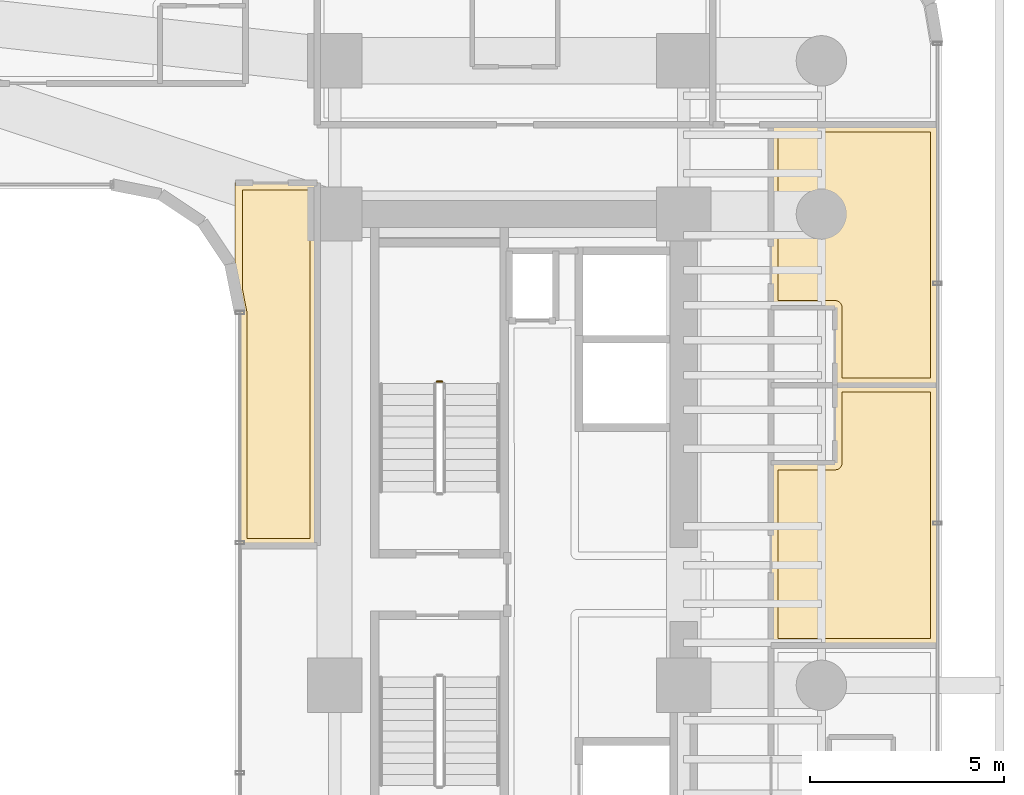
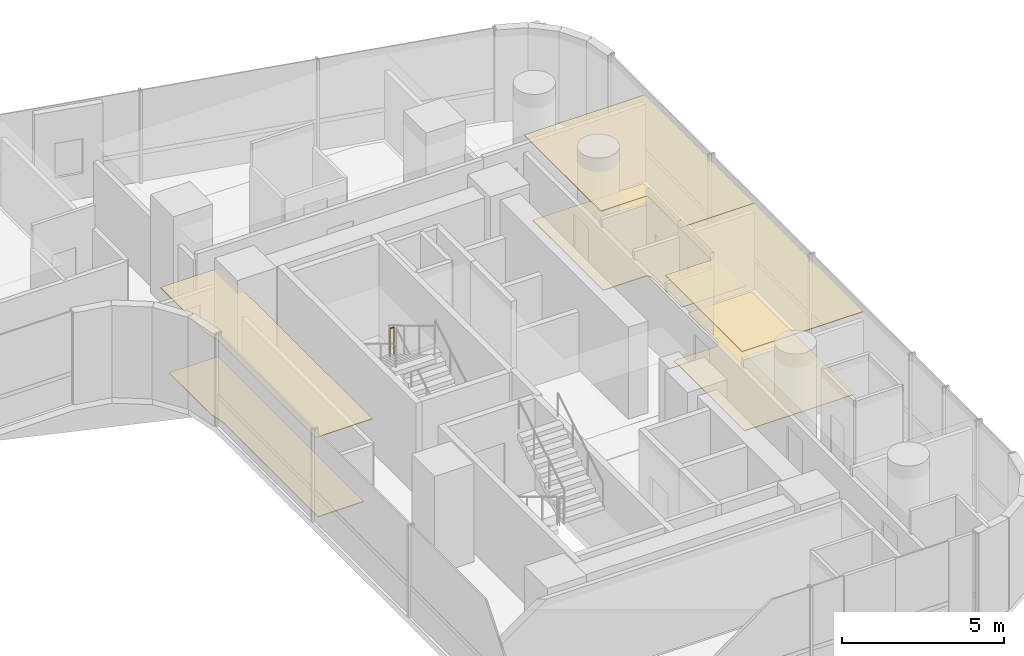
# One storey, part 48 of 50: 6 coverings, 1 railing.
"""IFC4 building model written with IfcOpenShell, lengths in metres."""

from ifc_helpers import new_model, si_unit, direction, frame, origin, origin_2d, place, context, subcontext, project, spatial, polyline, circle, outline, extrude, material, layer, layer_set, type_object, element, save


model = new_model("IFC4")

# Units and contexts
model_context = context("Model", 3, precision=1e-05, world=origin(), true_north=direction((0.0, 1.0)))
body_context = subcontext(model_context, "Body", "Model", "MODEL_VIEW")
ifc_project = project(units=[si_unit("LENGTHUNIT", "METRE"), si_unit("AREAUNIT", "SQUARE_METRE"), si_unit("VOLUMEUNIT", "CUBIC_METRE"), si_unit("PLANEANGLEUNIT", "RADIAN"), si_unit("MASSUNIT", "GRAM", prefix="KILO")], contexts=[model_context])

# Site, building, storey
site_placement = place(None, origin())
site = spatial("IfcSite", under=ifc_project, at=site_placement, CompositionType="ELEMENT")
building_placement = place(site_placement, origin())
building = spatial("IfcBuilding", under=site, at=building_placement, Name="Valdorenza Pilgrim Sanctuary Tower", CompositionType="ELEMENT")
storey_placement = place(building_placement, frame((0.0, 0.0, 26.0)))
storey = spatial("IfcBuildingStorey", under=building, at=storey_placement, Name="L05", CompositionType="ELEMENT", Elevation=26.0)

# Coverings
ifc_material_1 = material(Name="Micro-perforated acoustic mineral ceiling tile", Category="gypsum")
ifc_layer_1 = layer(ifc_material_1, 0.02490234375, Name="Micro-perforated acoustic mineral ceiling tile")
ifc_layer_set_1 = layer_set([ifc_layer_1], Name="Micro-perforated acoustic mineral ceiling tile")
covering_type_1 = type_object("IfcCoveringType", Name="COV-CLG-ACU", PredefinedType="CEILING", material=ifc_layer_set_1)
covering_1_placement = place(storey_placement, frame((0.0, 0.0, 3.159912109375)))
element("IfcCovering", 1, at=covering_1_placement, inside=storey, type_object=covering_type_1, Name="L05 East Sanctuary Guest Room L05-EG3 Acoustic Ceiling", PredefinedType="CEILING", context=body_context, shape_type="SweptSolid", body=[
    extrude(outline(polyline([(27.0849609375, 3.135986328125), (27.085205078125, 3.137451171875), (27.085205078125, 3.138916015625), (27.085693359375, 3.140380859375), (27.086181640625, 3.1416015625), (27.0869140625, 3.14306640625), (27.08740234375, 3.144287109375), (27.08837890625, 3.1455078125), (27.08935546875, 3.146484375), (27.090576171875, 3.147705078125), (27.091796875, 3.1484375), (27.093017578125, 3.149169921875), (27.09423828125, 3.14990234375), (27.095703125, 3.150390625), (27.09716796875, 3.150634765625), (27.098388671875, 3.15087890625), (27.10009765625, 3.15087890625), (28.737060546875, 3.15087890625), (28.737060546875, 5.137939453125), (28.737060546875, 5.139404296875), (28.7373046875, 5.140869140625), (28.737548828125, 5.142333984375), (28.738037109375, 5.143798828125), (28.73876953125, 5.14501953125), (28.739501953125, 5.146240234375), (28.740478515625, 5.1474609375), (28.741455078125, 5.148681640625), (28.742431640625, 5.149658203125), (28.74365234375, 5.150390625), (28.744873046875, 5.151123046875), (28.746337890625, 5.15185546875), (28.74755859375, 5.15234375), (28.7490234375, 5.152587890625), (28.75048828125, 5.15283203125), (28.751953125, 5.153076171875), (31.389892578125, 5.153076171875), (31.3916015625, 5.15283203125), (31.392822265625, 5.152587890625), (31.394287109375, 5.15234375), (31.395751953125, 5.15185546875), (31.397216796875, 5.151123046875), (31.398193359375, 5.150390625), (31.3994140625, 5.149658203125), (31.400634765625, 5.148681640625), (31.401611328125, 5.1474609375), (31.402587890625, 5.146240234375), (31.4033203125, 5.14501953125), (31.40380859375, 5.143798828125), (31.404296875, 5.142333984375), (31.40478515625, 5.140869140625), (31.40478515625, 5.139404296875), (31.405029296875, 5.137939453125), (31.405029296875, -1.572998046875), (31.40478515625, -1.574462890625), (31.40478515625, -1.575927734375), (31.404296875, -1.577392578125), (31.40380859375, -1.57861328125), (31.4033203125, -1.580078125), (31.402587890625, -1.581298828125), (31.401611328125, -1.58251953125), (31.400634765625, -1.58349609375), (31.3994140625, -1.584716796875), (31.398193359375, -1.58544921875), (31.397216796875, -1.586181640625), (31.395751953125, -1.5869140625), (31.394287109375, -1.58740234375), (31.392822265625, -1.587646484375), (31.3916015625, -1.587890625), (31.389892578125, -1.587890625), (27.10009765625, -1.587890625), (27.098388671875, -1.587890625), (27.09716796875, -1.587646484375), (27.095703125, -1.58740234375), (27.09423828125, -1.5869140625), (27.093017578125, -1.586181640625), (27.091796875, -1.58544921875), (27.090576171875, -1.584716796875), (27.08935546875, -1.58349609375), (27.08837890625, -1.58251953125), (27.08740234375, -1.581298828125), (27.0869140625, -1.580078125), (27.086181640625, -1.57861328125), (27.085693359375, -1.577392578125), (27.085205078125, -1.575927734375), (27.085205078125, -1.574462890625), (27.0849609375, -1.572998046875), (27.0849609375, 3.135986328125)])), origin(), (0.0, 0.0, 1.0), 0.025146484375),
])
covering_2_placement = place(storey_placement, frame((0.0, 0.0, 3.159912109375)))
element("IfcCovering", 2, at=covering_2_placement, inside=storey, type_object=covering_type_1, Name="L05 East Sanctuary Guest Room L05-EG4 Acoustic Ceiling", PredefinedType="CEILING", context=body_context, shape_type="SweptSolid", body=[
    extrude(outline(polyline([(28.737060546875, 7.125), (27.10009765625, 7.125), (27.098388671875, 7.125), (27.09716796875, 7.125244140625), (27.095703125, 7.12548828125), (27.09423828125, 7.126220703125), (27.093017578125, 7.126708984375), (27.091796875, 7.12744140625), (27.090576171875, 7.12841796875), (27.08935546875, 7.12939453125), (27.08837890625, 7.130615234375), (27.08740234375, 7.131591796875), (27.0869140625, 7.1328125), (27.086181640625, 7.13427734375), (27.085693359375, 7.135498046875), (27.085205078125, 7.13720703125), (27.085205078125, 7.138427734375), (27.0849609375, 7.139892578125), (27.0849609375, 11.847900390625), (27.085205078125, 11.849609375), (27.085205078125, 11.850830078125), (27.085693359375, 11.852294921875), (27.086181640625, 11.853759765625), (27.0869140625, 11.85498046875), (27.08740234375, 11.856201171875), (27.08837890625, 11.857421875), (27.08935546875, 11.858642578125), (27.090576171875, 11.859619140625), (27.091796875, 11.860595703125), (27.093017578125, 11.861083984375), (27.09423828125, 11.86181640625), (27.095703125, 11.8623046875), (27.09716796875, 11.86279296875), (27.098388671875, 11.86279296875), (27.10009765625, 11.863037109375), (31.389892578125, 11.863037109375), (31.3916015625, 11.86279296875), (31.392822265625, 11.86279296875), (31.394287109375, 11.8623046875), (31.395751953125, 11.86181640625), (31.397216796875, 11.861083984375), (31.398193359375, 11.860595703125), (31.3994140625, 11.859619140625), (31.400634765625, 11.858642578125), (31.401611328125, 11.857421875), (31.402587890625, 11.856201171875), (31.4033203125, 11.85498046875), (31.40380859375, 11.853759765625), (31.404296875, 11.852294921875), (31.40478515625, 11.850830078125), (31.40478515625, 11.849609375), (31.405029296875, 11.847900390625), (31.405029296875, 5.139892578125), (31.40478515625, 5.138427734375), (31.40478515625, 5.13720703125), (31.404296875, 5.135498046875), (31.40380859375, 5.13427734375), (31.4033203125, 5.1328125), (31.402587890625, 5.131591796875), (31.401611328125, 5.130615234375), (31.400634765625, 5.12939453125), (31.3994140625, 5.12841796875), (31.398193359375, 5.12744140625), (31.397216796875, 5.126708984375), (31.395751953125, 5.126220703125), (31.394287109375, 5.12548828125), (31.392822265625, 5.125244140625), (31.3916015625, 5.125), (31.389892578125, 5.125), (28.751953125, 5.125), (28.75048828125, 5.125), (28.7490234375, 5.125244140625), (28.74755859375, 5.12548828125), (28.746337890625, 5.126220703125), (28.744873046875, 5.126708984375), (28.74365234375, 5.12744140625), (28.742431640625, 5.12841796875), (28.741455078125, 5.12939453125), (28.740478515625, 5.130615234375), (28.739501953125, 5.131591796875), (28.73876953125, 5.1328125), (28.738037109375, 5.13427734375), (28.737548828125, 5.135498046875), (28.7373046875, 5.13720703125), (28.737060546875, 5.138427734375), (28.737060546875, 5.139892578125), (28.737060546875, 7.125)])), origin(), (0.0, 0.0, 1.0), 0.025146484375),
])
covering_3_placement = place(storey_placement, frame((0.0, 0.0, 3.159912109375)))
element("IfcCovering", 3, at=covering_3_placement, inside=storey, type_object=covering_type_1, Name="L05 Courtyard Overlook Salon L05 Acoustic Ceiling", PredefinedType="CEILING", context=body_context, shape_type="SweptSolid", body=[
    extrude(outline(polyline([(15.39990234375, 10.364990234375), (15.401611328125, 10.364990234375), (15.40283203125, 10.36474609375), (15.404296875, 10.364501953125), (15.40576171875, 10.364013671875), (15.406982421875, 10.36328125), (15.408203125, 10.362548828125), (15.409423828125, 10.361572265625), (15.41064453125, 10.360595703125), (15.41162109375, 10.359619140625), (15.41259765625, 10.3583984375), (15.4130859375, 10.357177734375), (15.413818359375, 10.355712890625), (15.414306640625, 10.3544921875), (15.414794921875, 10.352783203125), (15.414794921875, 10.3515625), (15.4150390625, 10.35009765625), (15.4150390625, 1.0), (15.414794921875, 0.99853515625), (15.414794921875, 0.9970703125), (15.414306640625, 0.99560546875), (15.413818359375, 0.994384765625), (15.4130859375, 0.992919921875), (15.41259765625, 0.99169921875), (15.41162109375, 0.990478515625), (15.41064453125, 0.989501953125), (15.409423828125, 0.98828125), (15.408203125, 0.987548828125), (15.406982421875, 0.98681640625), (15.40576171875, 0.986083984375), (15.404296875, 0.985595703125), (15.40283203125, 0.9853515625), (15.401611328125, 0.985107421875), (15.39990234375, 0.985107421875), (13.409912109375, 0.985107421875), (13.408447265625, 0.985107421875), (13.406982421875, 0.9853515625), (13.405517578125, 0.985595703125), (13.404296875, 0.986083984375), (13.40283203125, 0.98681640625), (13.401611328125, 0.987548828125), (13.400390625, 0.98828125), (13.3994140625, 0.989501953125), (13.3984375, 0.990478515625), (13.3974609375, 0.99169921875), (13.396728515625, 0.992919921875), (13.39599609375, 0.994384765625), (13.3955078125, 0.99560546875), (13.395263671875, 0.9970703125), (13.39501953125, 0.99853515625), (13.39501953125, 1.0), (13.39501953125, 6.99951171875), (13.39453125, 7.00927734375), (13.39306640625, 7.018798828125), (13.285400390625, 7.560791015625), (13.28515625, 7.562255859375), (13.284912109375, 7.563720703125), (13.284912109375, 10.35009765625), (13.28515625, 10.3515625), (13.285400390625, 10.352783203125), (13.28564453125, 10.3544921875), (13.2861328125, 10.355712890625), (13.286865234375, 10.357177734375), (13.28759765625, 10.3583984375), (13.288330078125, 10.359619140625), (13.289306640625, 10.360595703125), (13.29052734375, 10.361572265625), (13.291748046875, 10.362548828125), (13.29296875, 10.36328125), (13.294189453125, 10.364013671875), (13.295654296875, 10.364501953125), (13.297119140625, 10.36474609375), (13.298583984375, 10.364990234375), (13.300048828125, 10.364990234375), (15.39990234375, 10.364990234375)])), origin(), (0.0, 0.0, 1.0), 0.025146484375),
])
ifc_material_2 = material(Name="Engineered European oak timber flooring", Category="wood")
ifc_layer_2 = layer(ifc_material_2, 0.02197265625, Name="Engineered European oak timber flooring")
ifc_layer_set_2 = layer_set([ifc_layer_2], Name="Engineered European oak timber flooring")
covering_type_2 = type_object("IfcCoveringType", Name="COV-FLR-OAK", PredefinedType="FLOORING", material=ifc_layer_set_2)
covering_4_placement = place(storey_placement, origin())
element("IfcCovering", 4, at=covering_4_placement, inside=storey, type_object=covering_type_2, Name="L05 East Sanctuary Guest Room L05-EG3 Flooring", PredefinedType="FLOORING", context=body_context, shape_type="SweptSolid", body=[
    extrude(outline(polyline([(27.280029296875, 2.9560546875), (28.75, 2.9560546875), (28.7587890625, 2.956298828125), (28.759033203125, 2.956298828125), (28.776611328125, 2.9580078125), (28.77685546875, 2.9580078125), (28.794189453125, 2.96142578125), (28.794189453125, 2.96142578125), (28.811279296875, 2.966552734375), (28.811279296875, 2.966796875), (28.82763671875, 2.973388671875), (28.827880859375, 2.973388671875), (28.843505859375, 2.981689453125), (28.843505859375, 2.98193359375), (28.8583984375, 2.99169921875), (28.8583984375, 2.991943359375), (28.8720703125, 3.003173828125), (28.872314453125, 3.003173828125), (28.884765625, 3.015625), (28.885009765625, 3.015869140625), (28.89599609375, 3.029541015625), (28.896240234375, 3.02978515625), (28.906005859375, 3.04443359375), (28.90625, 3.04443359375), (28.91455078125, 3.06005859375), (28.91455078125, 3.060302734375), (28.92138671875, 3.07666015625), (28.92138671875, 3.076904296875), (28.926513671875, 3.09375), (28.926513671875, 3.093994140625), (28.929931640625, 3.111083984375), (28.929931640625, 3.111328125), (28.931884765625, 3.12890625), (28.931884765625, 3.129150390625), (28.931884765625, 3.137939453125), (28.931884765625, 4.9580078125), (31.2099609375, 4.9580078125), (31.2099609375, -1.39306640625), (27.280029296875, -1.39306640625), (27.280029296875, 2.9560546875)])), origin(), (0.0, 0.0, 1.0), 0.02490234375),
])
covering_5_placement = place(storey_placement, origin())
element("IfcCovering", 5, at=covering_5_placement, inside=storey, type_object=covering_type_2, Name="L05 East Sanctuary Guest Room L05-EG4 Flooring", PredefinedType="FLOORING", context=body_context, shape_type="SweptSolid", body=[
    extrude(outline(polyline([(31.2099609375, 5.320068359375), (28.931884765625, 5.320068359375), (28.931884765625, 7.137939453125), (28.931884765625, 7.146728515625), (28.931884765625, 7.14697265625), (28.929931640625, 7.16455078125), (28.929931640625, 7.164794921875), (28.926513671875, 7.18212890625), (28.926513671875, 7.182373046875), (28.92138671875, 7.19921875), (28.92138671875, 7.199462890625), (28.91455078125, 7.2158203125), (28.91455078125, 7.2158203125), (28.90625, 7.2314453125), (28.906005859375, 7.231689453125), (28.896240234375, 7.246337890625), (28.89599609375, 7.24658203125), (28.885009765625, 7.260009765625), (28.884765625, 7.26025390625), (28.872314453125, 7.272705078125), (28.8720703125, 7.27294921875), (28.8583984375, 7.2841796875), (28.8583984375, 7.2841796875), (28.843505859375, 7.294189453125), (28.843505859375, 7.294189453125), (28.827880859375, 7.302490234375), (28.82763671875, 7.302490234375), (28.811279296875, 7.309326171875), (28.811279296875, 7.309326171875), (28.794189453125, 7.314453125), (28.794189453125, 7.314697265625), (28.77685546875, 7.318115234375), (28.776611328125, 7.318115234375), (28.759033203125, 7.31982421875), (28.7587890625, 7.31982421875), (28.75, 7.320068359375), (27.280029296875, 7.320068359375), (27.280029296875, 11.66796875), (31.2099609375, 11.66796875), (31.2099609375, 5.320068359375)])), origin(), (0.0, 0.0, 1.0), 0.02490234375),
])
ifc_material_3 = material(Name="Honed travertine stone flooring", Category="masonry")
ifc_layer_3 = layer(ifc_material_3, 0.030029296875, Name="Honed travertine stone flooring")
ifc_layer_set_3 = layer_set([ifc_layer_3], Name="Honed travertine stone flooring")
covering_type_3 = type_object("IfcCoveringType", Name="COV-FLR-TRV", PredefinedType="FLOORING", material=ifc_layer_set_3)
covering_6_placement = place(storey_placement, origin())
element("IfcCovering", 6, at=covering_6_placement, inside=storey, type_object=covering_type_3, Name="L05 Courtyard Overlook Salon L05 Flooring", PredefinedType="FLOORING", context=body_context, shape_type="SweptSolid", body=[
    extrude(outline(polyline([(15.219970703125, 10.169921875), (15.219970703125, 1.179931640625), (13.590087890625, 1.179931640625), (13.590087890625, 7.0), (13.58984375, 7.0087890625), (13.58935546875, 7.01953125), (13.58740234375, 7.037109375), (13.5859375, 7.0478515625), (13.58447265625, 7.056640625), (13.47998046875, 7.58154296875), (13.47998046875, 10.169921875), (15.219970703125, 10.169921875)])), origin(), (0.0, 0.0, 1.0), 0.02490234375),
])

# Railing
ifc_material_4 = material(Name="Stainless steel Grade 316", Category="steel")
railing_type = type_object("IfcRailingType", Name="RLG-GRD-1120", PredefinedType="GUARDRAIL", material=ifc_material_4)
railing_placement = place(storey_placement, frame((18.6298828125, 5.22998046875, 1.85009765625)))
element("IfcRailing", 7, at=railing_placement, inside=storey, type_object=railing_type, Name="L05 ST-B1 stair guard 2", PredefinedType="GUARDRAIL", context=body_context, shape_type="SweptSolid", body=[
    extrude(circle(Radius=0.02392578125, at=origin_2d()), frame((0.0, 0.0, 1.076171875), z_axis=(-1.0, 0.0, 0.0), x_axis=(0.0, -1.0, 0.0)), (0.0, 0.0, 1.0), 0.14990234375),
    extrude(circle(Radius=0.02099609375, at=origin_2d()), origin(), (0.0, 0.0, 1.0), 1.052001953125),
    extrude(circle(Radius=0.02099609375, at=origin_2d()), frame((-0.14990234375, 0.0, 0.0)), (0.0, 0.0, 1.0), 1.052001953125),
])

save(model, "model.ifc")
